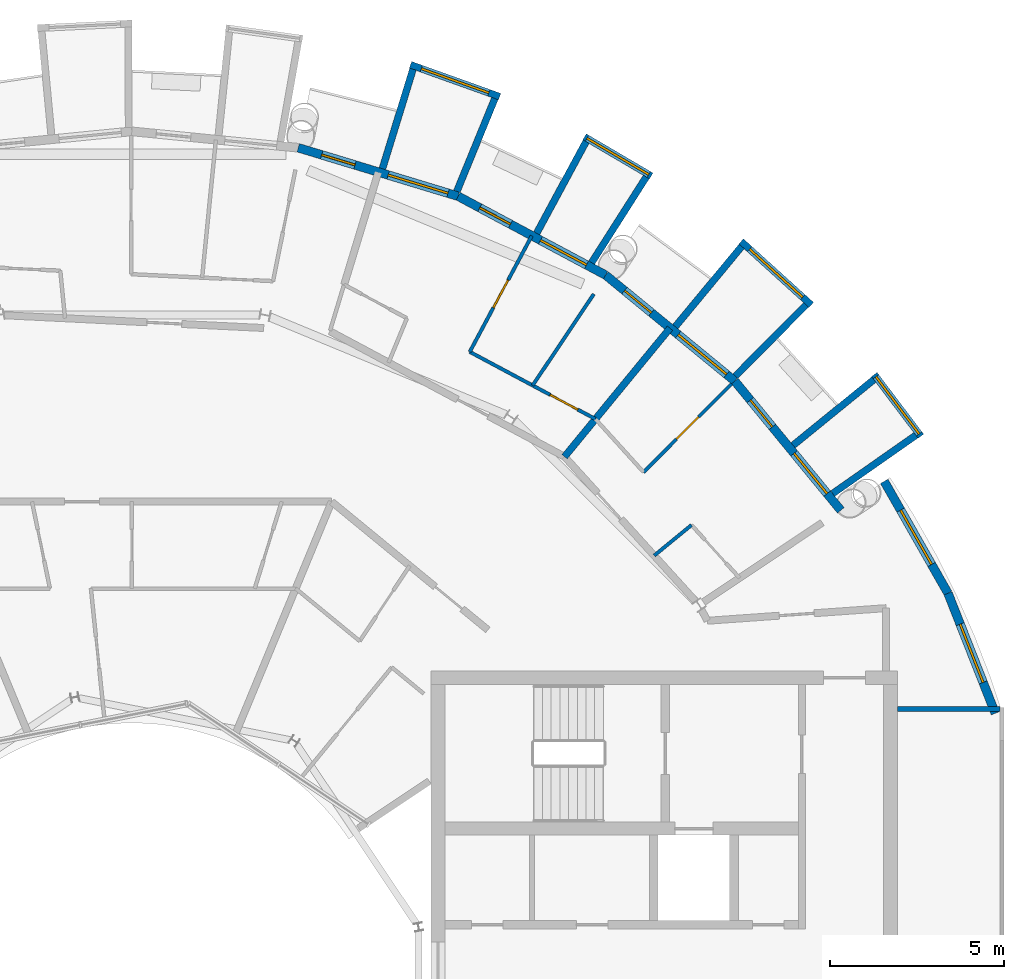
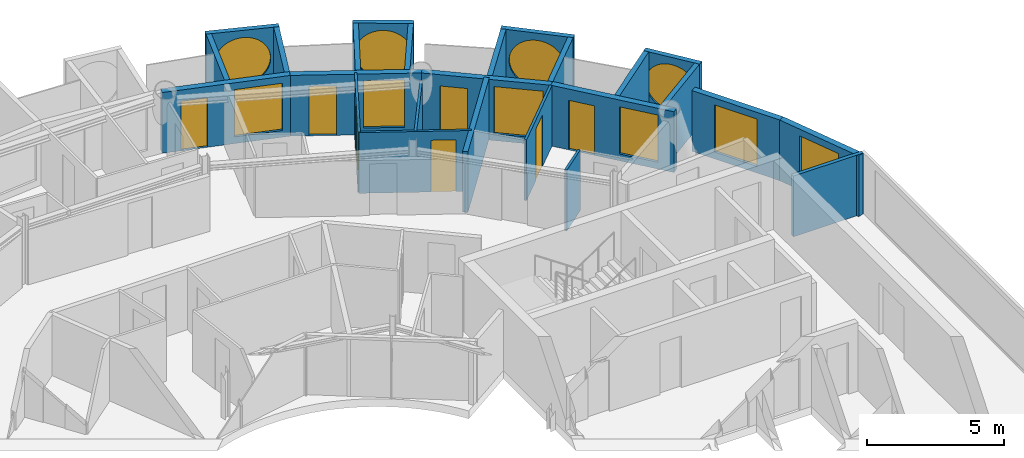
# One storey, part 23 of 27: 25 walls, 10 windows, 7 doors, 17 openings.
"""IFC4 building model written with IfcOpenShell, lengths in metres."""

from ifc_helpers import new_model, si_unit, direction, frame, frame_2d, origin, place, context, subcontext, project, spatial, rectangle, circle, extrude, material, layer, layer_set, type_object, element, fill, save


model = new_model("IFC4")

# Units and contexts
model_context = context("Model", 3, precision=1e-05, world=origin(), true_north=direction((0.0, 1.0)))
body_context = subcontext(model_context, "Body", "Model", "MODEL_VIEW")
ifc_project = project(units=[si_unit("LENGTHUNIT", "METRE"), si_unit("AREAUNIT", "SQUARE_METRE"), si_unit("VOLUMEUNIT", "CUBIC_METRE"), si_unit("PLANEANGLEUNIT", "RADIAN"), si_unit("MASSUNIT", "GRAM", prefix="KILO")], contexts=[model_context])

# Site, building, storey
site_placement = place(None, origin())
site = spatial("IfcSite", under=ifc_project, at=site_placement, CompositionType="ELEMENT")
building_placement = place(site_placement, origin())
building = spatial("IfcBuilding", under=site, at=building_placement, Name="Maasbend Ring Residences", CompositionType="ELEMENT")
storey_placement = place(building_placement, frame((0.0, 0.0, 243.199951171875)))
storey = spatial("IfcBuildingStorey", under=building, at=storey_placement, Name="L70", CompositionType="ELEMENT", Elevation=243.199951171875)

# Wall, opening, window
ifc_material_1 = material(Name="Pale anodised aluminium panel", Category="aluminium")
ifc_layer_1 = layer(ifc_material_1, 0.199951171875)
ifc_layer_set_1 = layer_set([ifc_layer_1], Name="EW-BOX")
wall_type_1 = type_object("IfcWallType", Name="EW-BOX", PredefinedType="SOLIDWALL", material=ifc_layer_set_1)
wall_1_placement = place(storey_placement, frame((22.672119140625, 15.739990234375, -0.030029296875), z_axis=(0.0, 0.0, 1.0), x_axis=(-0.602915500641, 0.797805050803, 0.0)))
wall_1 = element("IfcWall", 1, at=wall_1_placement, inside=storey, type_object=wall_type_1, Name="Box front N01", PredefinedType="SOLIDWALL", context=body_context, shape_type="SweptSolid", body=[
    extrude(rectangle(XDim=2.220947265625, YDim=0.199951171875, at=frame_2d((1.1103515625, 0.0))), origin(), (0.0, 0.0, 1.0), 2.72998046875),
])
opening_1_placement = place(wall_1_placement, frame((0.070556640625, 0.0, 0.330078125)))
opening_1 = element("IfcOpeningElement", 2, at=opening_1_placement, cuts=wall_1, Name="Opening W-RD", PredefinedType="OPENING", context=body_context, shape_type="SweptSolid", body=[
    extrude(circle(Radius=1.0400390625, at=frame_2d((1.0400390625, 1.0400390625))), frame((0.0, 0.10986328125, 0.0), z_axis=(0.0, -1.0, 0.0), x_axis=(1.0, 0.0, 0.0)), (0.0, 0.0, 1.0), 0.219970703125),
])
ifc_material_2 = material(Name="Aluminium and clear glass", Category="aluminium")
window_type_1 = type_object("IfcWindowType", Name="W-RD", PartitioningType="SINGLE_PANEL", PredefinedType="WINDOW", material=ifc_material_2)
window_1_placement = place(opening_1_placement, origin())
window_1 = element("IfcWindow", 3, at=window_1_placement, inside=storey, type_object=window_type_1, Name="Round window N01", OverallHeight=2.080078125, OverallWidth=2.080078125, PartitioningType="SINGLE_PANEL", PredefinedType="WINDOW", context=body_context, shape_type="SweptSolid", body=[
    extrude(circle(Radius=1.0400390625, at=frame_2d((1.0400390625, 1.0400390625))), frame((0.0, 0.030029296875, 0.0), z_axis=(0.0, -1.0, 0.0), x_axis=(1.0, 0.0, 0.0)), (0.0, 0.0, 1.0), 0.06005859375),
])
fill(opening_1, window_1)

# Walls
wall_2_placement = place(storey_placement, frame((20.137939453125, 14.093017578125, -0.030029296875), z_axis=(0.0, 0.0, 1.0), x_axis=(0.81913764619, 0.573596998419, 0.0)))
element("IfcWall", 4, at=wall_2_placement, inside=storey, type_object=wall_type_1, Name="Box side wall N01 left", PredefinedType="SOLIDWALL", context=body_context, shape_type="SweptSolid", body=[
    extrude(rectangle(XDim=2.920166015625, YDim=0.199951171875, at=frame_2d((1.4599609375, 0.0))), origin(), (0.0, 0.0, 1.0), 2.72998046875),
])
wall_3_placement = place(storey_placement, frame((19.0, 15.47900390625, -0.030029296875), z_axis=(0.0, 0.0, 1.0), x_axis=(0.775612161439, 0.631209771017, 0.0)))
element("IfcWall", 5, at=wall_3_placement, inside=storey, type_object=wall_type_1, Name="Box side wall N01 right", PredefinedType="SOLIDWALL", context=body_context, shape_type="SweptSolid", body=[
    extrude(rectangle(XDim=2.992431640625, YDim=0.199951171875, at=frame_2d((1.49609375, 0.0))), origin(), (0.0, 0.0, 1.0), 2.72998046875),
])

# Wall, opening, window
wall_4_placement = place(storey_placement, frame((19.52001953125, 19.512939453125, -0.030029296875), z_axis=(0.0, 0.0, 1.0), x_axis=(-0.741016284298, 0.671487056022, 0.0)))
wall_4 = element("IfcWall", 6, at=wall_4_placement, inside=storey, type_object=wall_type_1, Name="Box front N03", PredefinedType="SOLIDWALL", context=body_context, shape_type="SweptSolid", body=[
    extrude(rectangle(XDim=2.7177734375, YDim=0.199951171875, at=frame_2d((1.35888671875, 0.0))), origin(), (0.0, 0.0, 1.0), 2.72998046875),
])
opening_2_placement = place(wall_4_placement, frame((0.319091796875, 0.0, 0.330078125)))
opening_2 = element("IfcOpeningElement", 7, at=opening_2_placement, cuts=wall_4, Name="Opening W-RD", PredefinedType="OPENING", context=body_context, shape_type="SweptSolid", body=[
    extrude(circle(Radius=1.0400390625, at=frame_2d((1.0400390625, 1.0400390625))), frame((0.0, 0.10986328125, 0.0), z_axis=(0.0, -1.0, 0.0), x_axis=(1.0, 0.0, 0.0)), (0.0, 0.0, 1.0), 0.219970703125),
])
window_2_placement = place(opening_2_placement, origin())
window_2 = element("IfcWindow", 8, at=window_2_placement, inside=storey, type_object=window_type_1, Name="Round window N03", OverallHeight=2.080078125, OverallWidth=2.080078125, PartitioningType="SINGLE_PANEL", PredefinedType="WINDOW", context=body_context, shape_type="SweptSolid", body=[
    extrude(circle(Radius=1.0400390625, at=frame_2d((1.0400390625, 1.0400390625))), frame((0.0, 0.030029296875, 0.0), z_axis=(0.0, -1.0, 0.0), x_axis=(1.0, 0.0, 0.0)), (0.0, 0.0, 1.0), 0.06005859375),
])
fill(opening_2, window_2)

# Walls
wall_5_placement = place(storey_placement, frame((17.343994140625, 17.469970703125, -0.030029296875), z_axis=(0.0, 0.0, 1.0), x_axis=(0.704306055012, 0.709896457854, 0.0)))
element("IfcWall", 9, at=wall_5_placement, inside=storey, type_object=wall_type_1, Name="Box side wall N03 left", PredefinedType="SOLIDWALL", context=body_context, shape_type="SweptSolid", body=[
    extrude(rectangle(XDim=2.88232421875, YDim=0.199951171875, at=frame_2d((1.441162109375, 0.0))), origin(), (0.0, 0.0, 1.0), 2.72998046875),
])
wall_6_placement = place(storey_placement, frame((15.614990234375, 18.887939453125, -0.030029296875), z_axis=(0.0, 0.0, 1.0), x_axis=(0.637452521862, 0.770489638069, 0.0)))
element("IfcWall", 10, at=wall_6_placement, inside=storey, type_object=wall_type_1, Name="Box side wall N03 right", PredefinedType="SOLIDWALL", context=body_context, shape_type="SweptSolid", body=[
    extrude(rectangle(XDim=2.9931640625, YDim=0.199951171875, at=frame_2d((1.49658203125, 0.0))), origin(), (0.0, 0.0, 1.0), 2.72998046875),
])

# Wall, opening, window
wall_7_placement = place(storey_placement, frame((14.923095703125, 23.218017578125, -0.030029296875), z_axis=(0.0, 0.0, 1.0), x_axis=(-0.862340692672, 0.506328480101, 0.0)))
wall_7 = element("IfcWall", 11, at=wall_7_placement, inside=storey, type_object=wall_type_1, Name="Box front N05", PredefinedType="SOLIDWALL", context=body_context, shape_type="SweptSolid", body=[
    extrude(rectangle(XDim=2.221923828125, YDim=0.199951171875, at=frame_2d((1.11083984375, 0.0))), origin(), (0.0, 0.0, 1.0), 2.72998046875),
])
opening_3_placement = place(wall_7_placement, frame((0.070556640625, 0.0, 0.330078125)))
opening_3 = element("IfcOpeningElement", 12, at=opening_3_placement, cuts=wall_7, Name="Opening W-RD", PredefinedType="OPENING", context=body_context, shape_type="SweptSolid", body=[
    extrude(circle(Radius=1.0400390625, at=frame_2d((1.0400390625, 1.0400390625))), frame((0.0, 0.10986328125, 0.0), z_axis=(0.0, -1.0, 0.0), x_axis=(1.0, 0.0, 0.0)), (0.0, 0.0, 1.0), 0.219970703125),
])
window_3_placement = place(opening_3_placement, origin())
window_3 = element("IfcWindow", 13, at=window_3_placement, inside=storey, type_object=window_type_1, Name="Round window N05", OverallHeight=2.080078125, OverallWidth=2.080078125, PartitioningType="SINGLE_PANEL", PredefinedType="WINDOW", context=body_context, shape_type="SweptSolid", body=[
    extrude(circle(Radius=1.0400390625, at=frame_2d((1.0400390625, 1.0400390625))), frame((0.0, 0.030029296875, 0.0), z_axis=(0.0, -1.0, 0.0), x_axis=(1.0, 0.0, 0.0)), (0.0, 0.0, 1.0), 0.06005859375),
])
fill(opening_3, window_3)

# Walls
wall_8_placement = place(storey_placement, frame((13.2109375, 20.72705078125, -0.030029296875), z_axis=(0.0, 0.0, 1.0), x_axis=(0.537551395407, 0.843230986917, 0.0)))
element("IfcWall", 14, at=wall_8_placement, inside=storey, type_object=wall_type_1, Name="Box side wall N05 left", PredefinedType="SOLIDWALL", context=body_context, shape_type="SweptSolid", body=[
    extrude(rectangle(XDim=2.9208984375, YDim=0.199951171875, at=frame_2d((1.46044921875, 0.0))), origin(), (0.0, 0.0, 1.0), 2.72998046875),
])
wall_9_placement = place(storey_placement, frame((11.631103515625, 21.572021484375, -0.030029296875), z_axis=(0.0, 0.0, 1.0), x_axis=(0.474649669009, 0.880174807473, 0.0)))
element("IfcWall", 15, at=wall_9_placement, inside=storey, type_object=wall_type_1, Name="Box side wall N05 right", PredefinedType="SOLIDWALL", context=body_context, shape_type="SweptSolid", body=[
    extrude(rectangle(XDim=2.991455078125, YDim=0.199951171875, at=frame_2d((1.49560546875, 0.0))), origin(), (0.0, 0.0, 1.0), 2.72998046875),
])

# Wall, opening, window
wall_10_placement = place(storey_placement, frame((10.56689453125, 25.4970703125, -0.030029296875), z_axis=(0.0, 0.0, 1.0), x_axis=(-0.941532471443, 0.336922253968, 0.0)))
wall_10 = element("IfcWall", 16, at=wall_10_placement, inside=storey, type_object=wall_type_1, Name="Box front N07", PredefinedType="SOLIDWALL", context=body_context, shape_type="SweptSolid", body=[
    extrude(rectangle(XDim=2.71875, YDim=0.199951171875, at=frame_2d((1.359375, 0.0))), origin(), (0.0, 0.0, 1.0), 2.72998046875),
])
opening_4_placement = place(wall_10_placement, frame((0.319091796875, 0.0, 0.330078125)))
opening_4 = element("IfcOpeningElement", 17, at=opening_4_placement, cuts=wall_10, Name="Opening W-RD", PredefinedType="OPENING", context=body_context, shape_type="SweptSolid", body=[
    extrude(circle(Radius=1.0400390625, at=frame_2d((1.0400390625, 1.0400390625))), frame((0.0, 0.10986328125, 0.0), z_axis=(0.0, -1.0, 0.0), x_axis=(1.0, 0.0, 0.0)), (0.0, 0.0, 1.0), 0.219970703125),
])
window_4_placement = place(opening_4_placement, origin())
window_4 = element("IfcWindow", 18, at=window_4_placement, inside=storey, type_object=window_type_1, Name="Round window N07", OverallHeight=2.080078125, OverallWidth=2.080078125, PartitioningType="SINGLE_PANEL", PredefinedType="WINDOW", context=body_context, shape_type="SweptSolid", body=[
    extrude(circle(Radius=1.0400390625, at=frame_2d((1.0400390625, 1.0400390625))), frame((0.0, 0.030029296875, 0.0), z_axis=(0.0, -1.0, 0.0), x_axis=(1.0, 0.0, 0.0)), (0.0, 0.0, 1.0), 0.06005859375),
])
fill(opening_4, window_4)

# Walls
wall_11_placement = place(storey_placement, frame((9.337890625, 22.777099609375, -0.030029296875), z_axis=(0.0, 0.0, 1.0), x_axis=(0.379219850791, 0.925306600412, 0.0)))
element("IfcWall", 19, at=wall_11_placement, inside=storey, type_object=wall_type_1, Name="Box side wall N07 left", PredefinedType="SOLIDWALL", context=body_context, shape_type="SweptSolid", body=[
    extrude(rectangle(XDim=2.88232421875, YDim=0.199951171875, at=frame_2d((1.441162109375, 0.0))), origin(), (0.0, 0.0, 1.0), 2.72998046875),
])
wall_12_placement = place(storey_placement, frame((7.198974609375, 23.426025390625, -0.030029296875), z_axis=(0.0, 0.0, 1.0), x_axis=(0.293764720054, 0.95587775853, 0.0)))
element("IfcWall", 20, at=wall_12_placement, inside=storey, type_object=wall_type_1, Name="Box side wall N07 right", PredefinedType="SOLIDWALL", context=body_context, shape_type="SweptSolid", body=[
    extrude(rectangle(XDim=2.991943359375, YDim=0.199951171875, at=frame_2d((1.49609375, 0.0))), origin(), (0.0, 0.0, 1.0), 2.72998046875),
])

# Wall, openings, door, window
ifc_material_3 = material(Name="Aluminium clad insulated panel", Category="aluminium")
ifc_layer_2 = layer(ifc_material_3, 0.25)
ifc_layer_set_2 = layer_set([ifc_layer_2], Name="EW-GL")
wall_type_2 = type_object("IfcWallType", Name="EW-GL", PredefinedType="SOLIDWALL", material=ifc_layer_set_2)
wall_13_placement = place(storey_placement, frame((20.37109375, 13.611083984375, 0.0), z_axis=(0.0, 0.0, 1.0), x_axis=(-0.634396836208, 0.773007538262, 0.0)))
wall_13 = element("IfcWall", 21, at=wall_13_placement, inside=storey, type_object=wall_type_2, Name="External wall N01", PredefinedType="SOLIDWALL", context=body_context, shape_type="SweptSolid", body=[
    extrude(rectangle(XDim=4.80322265625, YDim=0.25, at=frame_2d((2.401611328125, 0.0))), origin(), (0.0, 0.0, 1.0), 2.699951171875),
])
opening_5_placement = place(wall_13_placement, frame((0.6201171875, 0.0, 0.300048828125)))
opening_5 = element("IfcOpeningElement", 22, at=opening_5_placement, cuts=wall_13, Name="Opening W-BN", PredefinedType="OPENING", context=body_context, shape_type="SweptSolid", body=[
    extrude(rectangle(XDim=1.5, YDim=2.10009765625, at=frame_2d((0.75, 1.050048828125))), frame((0.0, 0.135009765625, 0.0), z_axis=(0.0, -1.0, 0.0), x_axis=(1.0, 0.0, 0.0)), (0.0, 0.0, 1.0), 0.27001953125),
])
opening_6_placement = place(wall_13_placement, frame((3.09912109375, 0.0, 0.0)))
opening_6 = element("IfcOpeningElement", 23, at=opening_6_placement, cuts=wall_13, Name="Opening D-LG", PredefinedType="OPENING", context=body_context, shape_type="SweptSolid", body=[
    extrude(rectangle(XDim=1.0, YDim=2.199951171875, at=frame_2d((0.5, 1.10009765625))), frame((0.0, 0.135009765625, 0.0), z_axis=(0.0, -1.0, 0.0), x_axis=(1.0, 0.0, 0.0)), (0.0, 0.0, 1.0), 0.27001953125),
])
ifc_material_4 = material(Name="Aluminium and clear glass", Category="aluminium")
door_type_1 = type_object("IfcDoorType", Name="D-LG", OperationType="SINGLE_SWING_LEFT", PredefinedType="DOOR", material=ifc_material_4)
door_1_placement = place(opening_6_placement, origin())
door_1 = element("IfcDoor", 24, at=door_1_placement, inside=storey, type_object=door_type_1, Name="Loggia door N02", OperationType="SINGLE_SWING_LEFT", OverallHeight=2.199951171875, OverallWidth=1.0, PredefinedType="DOOR", context=body_context, shape_type="SweptSolid", body=[
    extrude(rectangle(XDim=1.0, YDim=2.199951171875, at=frame_2d((0.5, 1.10009765625))), frame((0.0, 0.02490234375, 0.0), z_axis=(0.0, -1.0, 0.0), x_axis=(1.0, 0.0, 0.0)), (0.0, 0.0, 1.0), 0.050048828125),
])
fill(opening_6, door_1)
ifc_material_5 = material(Name="Aluminium and clear glass", Category="aluminium")
window_type_2 = type_object("IfcWindowType", Name="W-BN", PartitioningType="SINGLE_PANEL", PredefinedType="WINDOW", material=ifc_material_5)
window_5_placement = place(opening_5_placement, origin())
window_5 = element("IfcWindow", 25, at=window_5_placement, inside=storey, type_object=window_type_2, Name="Window N01 room to box", OverallHeight=2.10009765625, OverallWidth=1.5, PartitioningType="SINGLE_PANEL", PredefinedType="WINDOW", context=body_context, shape_type="SweptSolid", body=[
    extrude(rectangle(XDim=1.5, YDim=2.10009765625, at=frame_2d((0.75, 1.050048828125))), frame((0.0, 0.030029296875, 0.0), z_axis=(0.0, -1.0, 0.0), x_axis=(1.0, 0.0, 0.0)), (0.0, 0.0, 1.0), 0.06005859375),
])
fill(opening_5, window_5)

wall_14_placement = place(storey_placement, frame((17.323974609375, 17.323974609375, 0.0), z_axis=(0.0, 0.0, 1.0), x_axis=(-0.773007538262, 0.634396836208, 0.0)))
wall_14 = element("IfcWall", 26, at=wall_14_placement, inside=storey, type_object=wall_type_2, Name="External wall N02", PredefinedType="SOLIDWALL", context=body_context, shape_type="SweptSolid", body=[
    extrude(rectangle(XDim=4.80322265625, YDim=0.25, at=frame_2d((2.401611328125, 0.0))), origin(), (0.0, 0.0, 1.0), 2.699951171875),
])
opening_7_placement = place(wall_14_placement, frame((0.3037109375, 0.0, 0.300048828125)))
opening_7 = element("IfcOpeningElement", 27, at=opening_7_placement, cuts=wall_14, Name="Opening W-BX", PredefinedType="OPENING", context=body_context, shape_type="SweptSolid", body=[
    extrude(rectangle(XDim=1.800048828125, YDim=2.10009765625, at=frame_2d((0.89990234375, 1.050048828125))), frame((0.0, 0.135009765625, 0.0), z_axis=(0.0, -1.0, 0.0), x_axis=(1.0, 0.0, 0.0)), (0.0, 0.0, 1.0), 0.27001953125),
])
opening_8_placement = place(wall_14_placement, frame((3.09912109375, 0.0, 0.0)))
opening_8 = element("IfcOpeningElement", 28, at=opening_8_placement, cuts=wall_14, Name="Opening D-LG", PredefinedType="OPENING", context=body_context, shape_type="SweptSolid", body=[
    extrude(rectangle(XDim=1.0, YDim=2.199951171875, at=frame_2d((0.5, 1.10009765625))), frame((0.0, 0.135009765625, 0.0), z_axis=(0.0, -1.0, 0.0), x_axis=(1.0, 0.0, 0.0)), (0.0, 0.0, 1.0), 0.27001953125),
])
door_2_placement = place(opening_8_placement, origin())
door_2 = element("IfcDoor", 29, at=door_2_placement, inside=storey, type_object=door_type_1, Name="Loggia door N04", OperationType="SINGLE_SWING_LEFT", OverallHeight=2.199951171875, OverallWidth=1.0, PredefinedType="DOOR", context=body_context, shape_type="SweptSolid", body=[
    extrude(rectangle(XDim=1.0, YDim=2.199951171875, at=frame_2d((0.5, 1.10009765625))), frame((0.0, 0.02490234375, 0.0), z_axis=(0.0, -1.0, 0.0), x_axis=(1.0, 0.0, 0.0)), (0.0, 0.0, 1.0), 0.050048828125),
])
fill(opening_8, door_2)
ifc_material_6 = material(Name="Aluminium and clear glass", Category="aluminium")
window_type_3 = type_object("IfcWindowType", Name="W-BX", PartitioningType="DOUBLE_PANEL_VERTICAL", PredefinedType="WINDOW", material=ifc_material_6)
window_6_placement = place(opening_7_placement, origin())
window_6 = element("IfcWindow", 30, at=window_6_placement, inside=storey, type_object=window_type_3, Name="Window N03 room to box", OverallHeight=2.10009765625, OverallWidth=1.800048828125, PartitioningType="SINGLE_PANEL", PredefinedType="WINDOW", context=body_context, shape_type="SweptSolid", body=[
    extrude(rectangle(XDim=1.800048828125, YDim=2.10009765625, at=frame_2d((0.89990234375, 1.050048828125))), frame((0.0, 0.030029296875, 0.0), z_axis=(0.0, -1.0, 0.0), x_axis=(1.0, 0.0, 0.0)), (0.0, 0.0, 1.0), 0.06005859375),
])
fill(opening_7, window_6)

wall_15_placement = place(storey_placement, frame((13.611083984375, 20.37109375, 0.0), z_axis=(0.0, 0.0, 1.0), x_axis=(-0.881903608701, 0.471429766731, 0.0)))
wall_15 = element("IfcWall", 31, at=wall_15_placement, inside=storey, type_object=wall_type_2, Name="External wall N03", PredefinedType="SOLIDWALL", context=body_context, shape_type="SweptSolid", body=[
    extrude(rectangle(XDim=4.80224609375, YDim=0.25, at=frame_2d((2.401123046875, 0.0))), origin(), (0.0, 0.0, 1.0), 2.699951171875),
])
opening_9_placement = place(wall_15_placement, frame((0.6201171875, 0.0, 0.300048828125)))
opening_9 = element("IfcOpeningElement", 32, at=opening_9_placement, cuts=wall_15, Name="Opening W-BN", PredefinedType="OPENING", context=body_context, shape_type="SweptSolid", body=[
    extrude(rectangle(XDim=1.5, YDim=2.10009765625, at=frame_2d((0.75, 1.050048828125))), frame((0.0, 0.135009765625, 0.0), z_axis=(0.0, -1.0, 0.0), x_axis=(1.0, 0.0, 0.0)), (0.0, 0.0, 1.0), 0.27001953125),
])
opening_10_placement = place(wall_15_placement, frame((3.09912109375, 0.0, 0.0)))
opening_10 = element("IfcOpeningElement", 33, at=opening_10_placement, cuts=wall_15, Name="Opening D-LG", PredefinedType="OPENING", context=body_context, shape_type="SweptSolid", body=[
    extrude(rectangle(XDim=1.0, YDim=2.199951171875, at=frame_2d((0.5, 1.10009765625))), frame((0.0, 0.135009765625, 0.0), z_axis=(0.0, -1.0, 0.0), x_axis=(1.0, 0.0, 0.0)), (0.0, 0.0, 1.0), 0.27001953125),
])
door_3_placement = place(opening_10_placement, origin())
door_3 = element("IfcDoor", 34, at=door_3_placement, inside=storey, type_object=door_type_1, Name="Loggia door N06", OperationType="SINGLE_SWING_LEFT", OverallHeight=2.199951171875, OverallWidth=1.0, PredefinedType="DOOR", context=body_context, shape_type="SweptSolid", body=[
    extrude(rectangle(XDim=1.0, YDim=2.199951171875, at=frame_2d((0.5, 1.10009765625))), frame((0.0, 0.02490234375, 0.0), z_axis=(0.0, -1.0, 0.0), x_axis=(1.0, 0.0, 0.0)), (0.0, 0.0, 1.0), 0.050048828125),
])
fill(opening_10, door_3)
window_7_placement = place(opening_9_placement, origin())
window_7 = element("IfcWindow", 35, at=window_7_placement, inside=storey, type_object=window_type_2, Name="Window N05 room to box", OverallHeight=2.10009765625, OverallWidth=1.5, PartitioningType="SINGLE_PANEL", PredefinedType="WINDOW", context=body_context, shape_type="SweptSolid", body=[
    extrude(rectangle(XDim=1.5, YDim=2.10009765625, at=frame_2d((0.75, 1.050048828125))), frame((0.0, 0.030029296875, 0.0), z_axis=(0.0, -1.0, 0.0), x_axis=(1.0, 0.0, 0.0)), (0.0, 0.0, 1.0), 0.06005859375),
])
fill(opening_9, window_7)

wall_16_placement = place(storey_placement, frame((9.3759765625, 22.635009765625, 0.0), z_axis=(0.0, 0.0, 1.0), x_axis=(-0.956947414517, 0.290261340605, 0.0)))
wall_16 = element("IfcWall", 36, at=wall_16_placement, inside=storey, type_object=wall_type_2, Name="External wall N04", PredefinedType="SOLIDWALL", context=body_context, shape_type="SweptSolid", body=[
    extrude(rectangle(XDim=4.802734375, YDim=0.25, at=frame_2d((2.4013671875, 0.0))), origin(), (0.0, 0.0, 1.0), 2.699951171875),
])
opening_11_placement = place(wall_16_placement, frame((0.3037109375, 0.0, 0.300048828125)))
opening_11 = element("IfcOpeningElement", 37, at=opening_11_placement, cuts=wall_16, Name="Opening W-BX", PredefinedType="OPENING", context=body_context, shape_type="SweptSolid", body=[
    extrude(rectangle(XDim=1.800048828125, YDim=2.10009765625, at=frame_2d((0.89990234375, 1.050048828125))), frame((0.0, 0.135009765625, 0.0), z_axis=(0.0, -1.0, 0.0), x_axis=(1.0, 0.0, 0.0)), (0.0, 0.0, 1.0), 0.27001953125),
])
opening_12_placement = place(wall_16_placement, frame((3.09912109375, 0.0, 0.0)))
opening_12 = element("IfcOpeningElement", 38, at=opening_12_placement, cuts=wall_16, Name="Opening D-LG", PredefinedType="OPENING", context=body_context, shape_type="SweptSolid", body=[
    extrude(rectangle(XDim=1.0, YDim=2.199951171875, at=frame_2d((0.5, 1.10009765625))), frame((0.0, 0.135009765625, 0.0), z_axis=(0.0, -1.0, 0.0), x_axis=(1.0, 0.0, 0.0)), (0.0, 0.0, 1.0), 0.27001953125),
])
door_4_placement = place(opening_12_placement, origin())
door_4 = element("IfcDoor", 39, at=door_4_placement, inside=storey, type_object=door_type_1, Name="Loggia door N08", OperationType="SINGLE_SWING_LEFT", OverallHeight=2.199951171875, OverallWidth=1.0, PredefinedType="DOOR", context=body_context, shape_type="SweptSolid", body=[
    extrude(rectangle(XDim=1.0, YDim=2.199951171875, at=frame_2d((0.5, 1.10009765625))), frame((0.0, 0.02490234375, 0.0), z_axis=(0.0, -1.0, 0.0), x_axis=(1.0, 0.0, 0.0)), (0.0, 0.0, 1.0), 0.050048828125),
])
fill(opening_12, door_4)
window_8_placement = place(opening_11_placement, origin())
window_8 = element("IfcWindow", 40, at=window_8_placement, inside=storey, type_object=window_type_3, Name="Window N07 room to box", OverallHeight=2.10009765625, OverallWidth=1.800048828125, PartitioningType="SINGLE_PANEL", PredefinedType="WINDOW", context=body_context, shape_type="SweptSolid", body=[
    extrude(rectangle(XDim=1.800048828125, YDim=2.10009765625, at=frame_2d((0.89990234375, 1.050048828125))), frame((0.0, 0.030029296875, 0.0), z_axis=(0.0, -1.0, 0.0), x_axis=(1.0, 0.0, 0.0)), (0.0, 0.0, 1.0), 0.06005859375),
])
fill(opening_11, window_8)

# Wall, opening, window
ifc_material_7 = material(Name="Aluminium clad insulated panel", Category="aluminium")
ifc_layer_3 = layer(ifc_material_7, 0.25)
ifc_layer_set_3 = layer_set([ifc_layer_3], Name="EW-HORN")
wall_type_3 = type_object("IfcWallType", Name="EW-HORN", PredefinedType="SOLIDWALL", material=ifc_layer_set_3)
wall_17_placement = place(storey_placement, frame((24.80908203125, 7.779052734375, 0.0), z_axis=(0.0, 0.0, 1.0), x_axis=(-0.366351636034, 0.930476479432, 0.0)))
wall_17 = element("IfcWall", 41, at=wall_17_placement, inside=storey, type_object=wall_type_3, Name="Horn wall 1.1", PredefinedType="SOLIDWALL", context=body_context, shape_type="SweptSolid", body=[
    extrude(rectangle(XDim=3.70458984375, YDim=0.25, at=frame_2d((1.852294921875, 0.0))), origin(), (0.0, 0.0, 1.0), 2.699951171875),
])
opening_13_placement = place(wall_17_placement, frame((0.952392578125, 0.0, 0.300048828125)))
opening_13 = element("IfcOpeningElement", 42, at=opening_13_placement, cuts=wall_17, Name="Opening W-BX", PredefinedType="OPENING", context=body_context, shape_type="SweptSolid", body=[
    extrude(rectangle(XDim=1.800048828125, YDim=2.10009765625, at=frame_2d((0.89990234375, 1.050048828125))), frame((0.0, 0.135009765625, 0.0), z_axis=(0.0, -1.0, 0.0), x_axis=(1.0, 0.0, 0.0)), (0.0, 0.0, 1.0), 0.27001953125),
])
window_9_placement = place(opening_13_placement, origin())
window_9 = element("IfcWindow", 43, at=window_9_placement, inside=storey, type_object=window_type_3, Name="Horn window 1.1", OverallHeight=2.10009765625, OverallWidth=1.800048828125, PartitioningType="SINGLE_PANEL", PredefinedType="WINDOW", context=body_context, shape_type="SweptSolid", body=[
    extrude(rectangle(XDim=1.800048828125, YDim=2.10009765625, at=frame_2d((0.89990234375, 1.050048828125))), frame((0.0, 0.030029296875, 0.0), z_axis=(0.0, -1.0, 0.0), x_axis=(1.0, 0.0, 0.0)), (0.0, 0.0, 1.0), 0.06005859375),
])
fill(opening_13, window_9)

wall_18_placement = place(storey_placement, frame((23.451904296875, 11.22607421875, 0.0), z_axis=(0.0, 0.0, 1.0), x_axis=(-0.495031435966, 0.868875064325, 0.0)))
wall_18 = element("IfcWall", 44, at=wall_18_placement, inside=storey, type_object=wall_type_3, Name="Horn wall 1.2", PredefinedType="SOLIDWALL", context=body_context, shape_type="SweptSolid", body=[
    extrude(rectangle(XDim=3.704833984375, YDim=0.25, at=frame_2d((1.8525390625, 0.0))), origin(), (0.0, 0.0, 1.0), 2.699951171875),
])
opening_14_placement = place(wall_18_placement, frame((0.952392578125, 0.0, 0.300048828125)))
opening_14 = element("IfcOpeningElement", 45, at=opening_14_placement, cuts=wall_18, Name="Opening W-BX", PredefinedType="OPENING", context=body_context, shape_type="SweptSolid", body=[
    extrude(rectangle(XDim=1.800048828125, YDim=2.10009765625, at=frame_2d((0.89990234375, 1.050048828125))), frame((0.0, 0.135009765625, 0.0), z_axis=(0.0, -1.0, 0.0), x_axis=(1.0, 0.0, 0.0)), (0.0, 0.0, 1.0), 0.27001953125),
])
window_10_placement = place(opening_14_placement, origin())
window_10 = element("IfcWindow", 46, at=window_10_placement, inside=storey, type_object=window_type_3, Name="Horn window 1.2", OverallHeight=2.10009765625, OverallWidth=1.800048828125, PartitioningType="SINGLE_PANEL", PredefinedType="WINDOW", context=body_context, shape_type="SweptSolid", body=[
    extrude(rectangle(XDim=1.800048828125, YDim=2.10009765625, at=frame_2d((0.89990234375, 1.050048828125))), frame((0.0, 0.030029296875, 0.0), z_axis=(0.0, -1.0, 0.0), x_axis=(1.0, 0.0, 0.0)), (0.0, 0.0, 1.0), 0.06005859375),
])
fill(opening_14, window_10)

# Wall, opening, door
ifc_material_8 = material(Name="Gypsum board on steel studs", Category="steel")
ifc_layer_4 = layer(ifc_material_8, 0.10009765625)
ifc_layer_set_4 = layer_set([ifc_layer_4], Name="PARTITION 100 GYPSUM")
wall_type_4 = type_object("IfcWallType", Name="PARTITION 100 GYPSUM", PredefinedType="PARTITIONING", material=ifc_layer_set_4)
wall_19_placement = place(storey_placement, frame((9.708984375, 18.1650390625, 0.0), z_axis=(0.0, 0.0, 1.0), x_axis=(0.471396335579, 0.881921478819, 0.0)))
wall_19 = element("IfcWall", 47, at=wall_19_placement, inside=storey, type_object=wall_type_4, Name="U-L70-w081", PredefinedType="PARTITIONING", context=body_context, shape_type="SweptSolid", body=[
    extrude(rectangle(XDim=3.778076171875, YDim=0.10009765625, at=frame_2d((1.88916015625, 0.0))), origin(), (0.0, 0.0, 1.0), 2.699951171875),
])
opening_15_placement = place(wall_19_placement, frame((1.43896484375, 0.0, 0.0)))
opening_15 = element("IfcOpeningElement", 48, at=opening_15_placement, cuts=wall_19, Name="Opening D-7006", PredefinedType="OPENING", context=body_context, shape_type="SweptSolid", body=[
    extrude(rectangle(XDim=0.89990234375, YDim=2.300048828125, at=frame_2d((0.449951171875, 1.14990234375))), frame((0.0, 0.06005859375, 0.0), z_axis=(0.0, -1.0, 0.0), x_axis=(1.0, 0.0, 0.0)), (0.0, 0.0, 1.0), 0.1201171875),
])
ifc_material_9 = material(Name="Timber, painted", Category="wood")
door_type_2 = type_object("IfcDoorType", Name="INTERNAL DOOR 900 X 2300", OperationType="NOTDEFINED", PredefinedType="DOOR", material=ifc_material_9)
door_5_placement = place(opening_15_placement, origin())
door_5 = element("IfcDoor", 49, at=door_5_placement, inside=storey, type_object=door_type_2, Name="D-7006", OperationType="SINGLE_SWING_LEFT", OverallHeight=2.300048828125, OverallWidth=0.89990234375, PredefinedType="DOOR", context=body_context, shape_type="SweptSolid", body=[
    extrude(rectangle(XDim=0.89990234375, YDim=2.300048828125, at=frame_2d((0.449951171875, 1.14990234375))), frame((0.0, 0.02490234375, 0.0), z_axis=(0.0, -1.0, 0.0), x_axis=(1.0, 0.0, 0.0)), (0.0, 0.0, 1.0), 0.050048828125),
])
fill(opening_15, door_5)

# Wall
wall_20_placement = place(storey_placement, frame((11.51611328125, 17.198974609375, 0.0), z_axis=(0.0, 0.0, 1.0), x_axis=(0.556125344044, 0.831098430821, 0.0)))
element("IfcWall", 50, at=wall_20_placement, inside=storey, type_object=wall_type_4, Name="U-L70-w084", PredefinedType="PARTITIONING", context=body_context, shape_type="SweptSolid", body=[
    extrude(rectangle(XDim=3.160888671875, YDim=0.10009765625, at=frame_2d((1.58056640625, 0.0))), origin(), (0.0, 0.0, 1.0), 2.699951171875),
])

# Wall, opening, door
wall_21_placement = place(storey_placement, frame((14.701904296875, 14.7109375, 0.0), z_axis=(0.0, 0.0, 1.0), x_axis=(0.706833687935, 0.707379769007, 0.0)))
wall_21 = element("IfcWall", 51, at=wall_21_placement, inside=storey, type_object=wall_type_4, Name="U-L70-w088", PredefinedType="PARTITIONING", context=body_context, shape_type="SweptSolid", body=[
    extrude(rectangle(XDim=3.57666015625, YDim=0.10009765625, at=frame_2d((1.788330078125, 0.0))), origin(), (0.0, 0.0, 1.0), 2.699951171875),
])
opening_16_placement = place(wall_21_placement, frame((1.337890625, 0.0, 0.0)))
opening_16 = element("IfcOpeningElement", 52, at=opening_16_placement, cuts=wall_21, Name="Opening D-7003", PredefinedType="OPENING", context=body_context, shape_type="SweptSolid", body=[
    extrude(rectangle(XDim=0.89990234375, YDim=2.300048828125, at=frame_2d((0.449951171875, 1.14990234375))), frame((0.0, 0.06005859375, 0.0), z_axis=(0.0, -1.0, 0.0), x_axis=(1.0, 0.0, 0.0)), (0.0, 0.0, 1.0), 0.1201171875),
])
door_6_placement = place(opening_16_placement, origin())
door_6 = element("IfcDoor", 53, at=door_6_placement, inside=storey, type_object=door_type_2, Name="D-7003", OperationType="SINGLE_SWING_RIGHT", OverallHeight=2.300048828125, OverallWidth=0.89990234375, PredefinedType="DOOR", context=body_context, shape_type="SweptSolid", body=[
    extrude(rectangle(XDim=0.89990234375, YDim=2.300048828125, at=frame_2d((0.449951171875, 1.14990234375))), frame((0.0, 0.02490234375, 0.0), z_axis=(0.0, -1.0, 0.0), x_axis=(1.0, 0.0, 0.0)), (0.0, 0.0, 1.0), 0.050048828125),
])
fill(opening_16, door_6)

# Wall
wall_22_placement = place(storey_placement, frame((15.009033203125, 12.31005859375, 0.0), z_axis=(0.0, 0.0, 1.0), x_axis=(0.773321325714, 0.634014295735, 0.0)))
element("IfcWall", 54, at=wall_22_placement, inside=storey, type_object=wall_type_4, Name="U-L70-w089", PredefinedType="PARTITIONING", context=body_context, shape_type="SweptSolid", body=[
    extrude(rectangle(XDim=1.38623046875, YDim=0.10009765625, at=frame_2d((0.693115234375, 0.0))), origin(), (0.0, 0.0, 1.0), 2.699951171875),
])

# Wall, opening, door
wall_23_placement = place(storey_placement, frame((9.7080078125, 18.1650390625, 0.0), z_axis=(0.0, 0.0, 1.0), x_axis=(0.881926970029, -0.471386062094, 0.0)))
wall_23 = element("IfcWall", 55, at=wall_23_placement, inside=storey, type_object=wall_type_4, Name="U-L70-w120", PredefinedType="PARTITIONING", context=body_context, shape_type="SweptSolid", body=[
    extrude(rectangle(XDim=4.0966796875, YDim=0.10009765625, at=frame_2d((2.04833984375, 0.0))), origin(), (0.0, 0.0, 1.0), 2.699951171875),
])
opening_17_placement = place(wall_23_placement, frame((2.6220703125, 0.0, 0.0)))
opening_17 = element("IfcOpeningElement", 56, at=opening_17_placement, cuts=wall_23, Name="Opening D-7007", PredefinedType="OPENING", context=body_context, shape_type="SweptSolid", body=[
    extrude(rectangle(XDim=0.89990234375, YDim=2.300048828125, at=frame_2d((0.449951171875, 1.14990234375))), frame((0.0, 0.06005859375, 0.0), z_axis=(0.0, -1.0, 0.0), x_axis=(1.0, 0.0, 0.0)), (0.0, 0.0, 1.0), 0.1201171875),
])
door_7_placement = place(opening_17_placement, origin())
door_7 = element("IfcDoor", 57, at=door_7_placement, inside=storey, type_object=door_type_2, Name="D-7007", OperationType="SINGLE_SWING_RIGHT", OverallHeight=2.300048828125, OverallWidth=0.89990234375, PredefinedType="DOOR", context=body_context, shape_type="SweptSolid", body=[
    extrude(rectangle(XDim=0.89990234375, YDim=2.300048828125, at=frame_2d((0.449951171875, 1.14990234375))), frame((0.0, 0.02490234375, 0.0), z_axis=(0.0, -1.0, 0.0), x_axis=(1.0, 0.0, 0.0)), (0.0, 0.0, 1.0), 0.050048828125),
])
fill(opening_17, door_7)

# Walls
ifc_material_10 = material(Name="Gypsum board on steel studs", Category="steel")
ifc_layer_5 = layer(ifc_material_10, 0.14990234375)
ifc_layer_set_5 = layer_set([ifc_layer_5], Name="PARTITION 150 EI 60")
wall_type_5 = type_object("IfcWallType", Name="PARTITION 150 EI 60", PredefinedType="PARTITIONING", material=ifc_layer_set_5)
wall_24_placement = place(storey_placement, frame((22.0, 7.89990234375, 0.0), z_axis=(0.0, 0.0, 1.0), x_axis=(1.0, 0.0, 0.0)))
element("IfcWall", 58, at=wall_24_placement, inside=storey, type_object=wall_type_5, Name="L70 core E wall CITN", PredefinedType="PARTITIONING", context=body_context, shape_type="SweptSolid", body=[
    extrude(rectangle(XDim=2.93994140625, YDim=0.14990234375, at=frame_2d((1.469970703125, 0.0))), origin(), (0.0, 0.0, 1.0), 2.699951171875),
])
ifc_material_11 = material(Name="Concrete C30/37", Category="concrete")
ifc_layer_6 = layer(ifc_material_11, 0.199951171875)
ifc_layer_set_6 = layer_set([ifc_layer_6], Name="Concrete C30/37")
wall_type_6 = type_object("IfcWallType", Name="PARTY WALL 200 CONCRETE", PredefinedType="PARTITIONING", material=ifc_layer_set_6)
wall_25_placement = place(storey_placement, frame((12.43310546875, 15.152099609375, 0.0), z_axis=(0.0, 0.0, 1.0), x_axis=(0.634362058107, 0.77303607887, 0.0)))
element("IfcWall", 59, at=wall_25_placement, inside=storey, type_object=wall_type_6, Name="U-L70-w086", PredefinedType="PARTITIONING", context=body_context, shape_type="SweptSolid", body=[
    extrude(rectangle(XDim=4.774658203125, YDim=0.199951171875, at=frame_2d((2.38720703125, 0.0))), origin(), (0.0, 0.0, 1.0), 2.699951171875),
])

save(model, "model.ifc")
